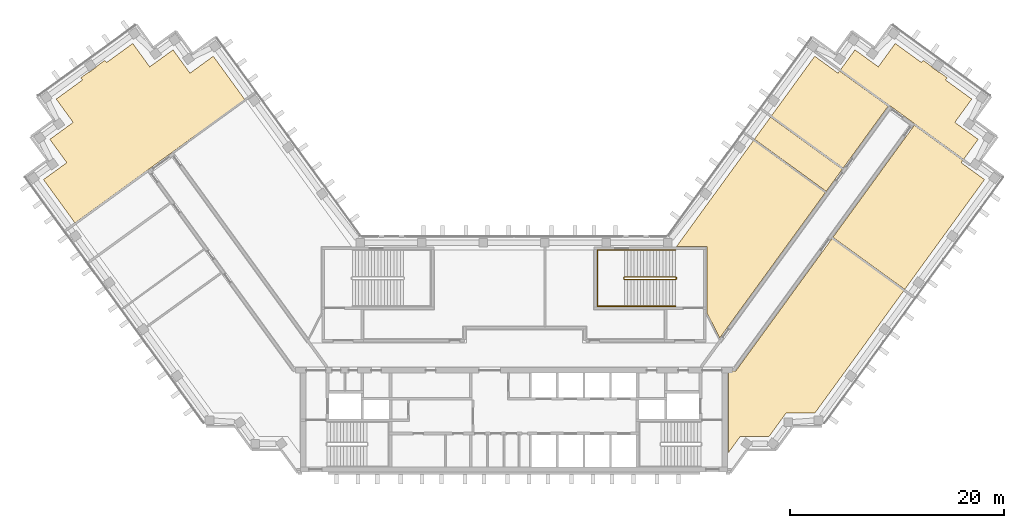
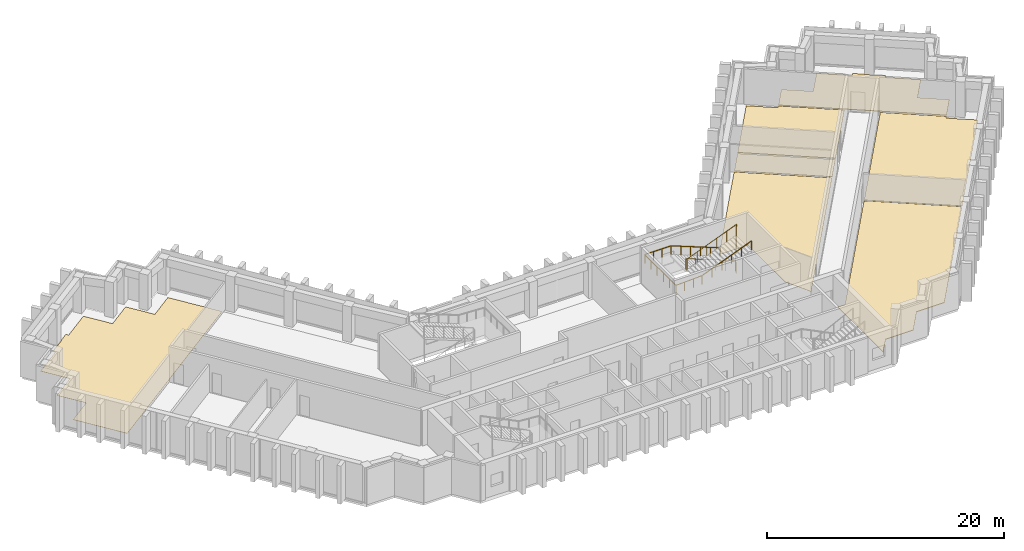
# One storey, part 10 of 10: 7 coverings, 2 railings.
"""IFC4 building model written with IfcOpenShell, lengths in metres."""

from ifc_helpers import new_model, si_unit, direction, frame, origin, origin_2d, place, context, subcontext, project, spatial, polyline, circle, outline, extrude, material, layer, layer_set, type_object, element, save


model = new_model("IFC4")

# Units and contexts
model_context = context("Model", 3, precision=1e-05, world=origin(), true_north=direction((0.0, 1.0)))
body_context = subcontext(model_context, "Body", "Model", "MODEL_VIEW")
ifc_project = project(units=[si_unit("LENGTHUNIT", "METRE"), si_unit("AREAUNIT", "SQUARE_METRE"), si_unit("VOLUMEUNIT", "CUBIC_METRE"), si_unit("PLANEANGLEUNIT", "RADIAN"), si_unit("MASSUNIT", "GRAM", prefix="KILO")], contexts=[model_context])

# Site, building, storey
site_placement = place(None, origin())
site = spatial("IfcSite", under=ifc_project, at=site_placement, CompositionType="ELEMENT")
building_placement = place(site_placement, origin())
building = spatial("IfcBuilding", under=site, at=building_placement, Name="Quipu Civic Tower", CompositionType="ELEMENT")
storey_placement = place(building_placement, frame((0.0, 0.0, 176.0)))
storey = spatial("IfcBuildingStorey", under=building, at=storey_placement, Name="L41", CompositionType="ELEMENT", Elevation=176.0)

# Coverings
ifc_material_1 = material(Name="Carpet tile on raised access floor")
ifc_layer_1 = layer(ifc_material_1, 0.02001953125)
ifc_layer_set_1 = layer_set([ifc_layer_1], Name="Carpet tile on raised access floor")
covering_type_1 = type_object("IfcCoveringType", Name="Carpet tile floor finish 20", PredefinedType="FLOORING", material=ifc_layer_set_1)
covering_1_placement = place(storey_placement, origin())
element("IfcCovering", 1, at=covering_1_placement, inside=storey, type_object=covering_type_1, Name="Carpet tile floor finish 20", PredefinedType="FLOORING", context=body_context, shape_type="SweptSolid", body=[
    extrude(outline(polyline([(-44.074951171875, 16.4140625), (-41.89208984375, 17.9990234375), (-43.47802734375, 20.18505859375), (-41.2939453125, 21.77294921875), (-42.881103515625, 23.95703125), (-40.424072265625, 25.740966796875), (-40.574951171875, 25.952880859375), (-39.81298828125, 26.507080078125), (-39.80908203125, 26.5029296875), (-39.804931640625, 26.5009765625), (-39.801025390625, 26.498046875), (-39.7958984375, 26.49609375), (-39.7919921875, 26.4951171875), (-39.787109375, 26.493896484375), (-39.781982421875, 26.492919921875), (-39.777099609375, 26.492919921875), (-39.77197265625, 26.493896484375), (-39.76806640625, 26.4951171875), (-39.762939453125, 26.49609375), (-39.758056640625, 26.498046875), (-39.75390625, 26.5), (-39.75, 26.5029296875), (-39.10302734375, 26.972900390625), (-39.09912109375, 26.97607421875), (-39.094970703125, 26.97998046875), (-39.092041015625, 26.98291015625), (-39.089111328125, 26.987060546875), (-39.0869140625, 26.991943359375), (-39.0849609375, 26.99609375), (-39.083984375, 27.0009765625), (-39.0830078125, 27.006103515625), (-39.08203125, 27.010986328125), (-39.08203125, 27.014892578125), (-39.08203125, 27.02001953125), (-39.0830078125, 27.02490234375), (-39.0849609375, 27.030029296875), (-39.0869140625, 27.033935546875), (-38.324951171875, 27.587890625), (-38.169921875, 27.37890625), (-35.712890625, 29.1640625), (-34.126953125, 26.97998046875), (-31.94091796875, 28.56591796875), (-30.35400390625, 26.383056640625), (-28.169921875, 27.968994140625), (-25.22607421875, 23.916015625), (-41.131103515625, 12.360107421875), (-44.074951171875, 16.4140625)])), origin(), (0.0, 0.0, 1.0), 0.02001953125),
])
covering_2_placement = place(storey_placement, origin())
element("IfcCovering", 2, at=covering_2_placement, inside=storey, type_object=covering_type_1, Name="Carpet tile floor finish 20", PredefinedType="FLOORING", context=body_context, shape_type="SweptSolid", body=[
    extrude(outline(polyline([(15.238037109375, 10.169921875), (22.44189453125, 20.0849609375), (29.1650390625, 15.200927734375), (19.27197265625, 1.583984375), (18.070068359375, 3.94189453125), (18.070068359375, 10.1689453125), (15.238037109375, 10.169921875)])), origin(), (0.0, 0.0, 1.0), 0.02001953125),
])
covering_3_placement = place(storey_placement, origin())
element("IfcCovering", 3, at=covering_3_placement, inside=storey, type_object=covering_type_1, Name="Carpet tile floor finish 20", PredefinedType="FLOORING", context=body_context, shape_type="SweptSolid", body=[
    extrude(outline(polyline([(29.87890625, 11.010986328125), (37.4990234375, 21.5), (42.0380859375, 18.201904296875), (41.89208984375, 17.9990234375), (44.074951171875, 16.4140625), (36.60302734375, 6.126953125), (29.87890625, 11.010986328125)])), origin(), (0.0, 0.0, 1.0), 0.02001953125),
])
ifc_material_2 = material(Name="Ceramic floor tile")
ifc_layer_2 = layer(ifc_material_2, 0.030029296875)
ifc_layer_set_2 = layer_set([ifc_layer_2], Name="Ceramic floor tile")
covering_type_2 = type_object("IfcCoveringType", Name="Ceramic tile floor finish 30", PredefinedType="FLOORING", material=ifc_layer_set_2)
covering_4_placement = place(storey_placement, origin())
element("IfcCovering", 4, at=covering_4_placement, inside=storey, type_object=covering_type_2, Name="Ceramic tile floor finish 30", PredefinedType="FLOORING", context=body_context, shape_type="SweptSolid", body=[
    extrude(outline(polyline([(22.52490234375, 20.197998046875), (24.029052734375, 22.26904296875), (30.751953125, 17.385986328125), (29.248046875, 15.31396484375), (22.52490234375, 20.197998046875)])), origin(), (0.0, 0.0, 1.0), 0.030029296875),
])
ifc_material_3 = material(Name="Sealed cement screed")
ifc_layer_3 = layer(ifc_material_3, 0.050048828125)
ifc_layer_set_3 = layer_set([ifc_layer_3], Name="Sealed cement screed")
covering_type_3 = type_object("IfcCoveringType", Name="Sealed screed floor finish 50", PredefinedType="FLOORING", material=ifc_layer_set_3)
covering_5_placement = place(storey_placement, origin())
element("IfcCovering", 5, at=covering_5_placement, inside=storey, type_object=covering_type_3, Name="Sealed screed floor finish 50", PredefinedType="FLOORING", context=body_context, shape_type="SweptSolid", body=[
    extrude(outline(polyline([(20.070068359375, -9.195068359375), (20.070068359375, -1.52001953125), (20.77490234375, -1.51904296875), (29.7958984375, 10.89794921875), (36.52001953125, 6.013916015625), (28.181884765625, -5.4609375), (25.48193359375, -5.4619140625), (23.89501953125, -7.64599609375), (21.196044921875, -7.64599609375), (20.070068359375, -9.195068359375)])), origin(), (0.0, 0.0, 1.0), 0.050048828125),
])
covering_6_placement = place(storey_placement, origin())
element("IfcCovering", 6, at=covering_6_placement, inside=storey, type_object=covering_type_3, Name="Sealed screed floor finish 50", PredefinedType="FLOORING", context=body_context, shape_type="SweptSolid", body=[
    extrude(outline(polyline([(30.583984375, 26.697021484375), (31.94189453125, 28.56591796875), (34.126953125, 26.97998046875), (35.712890625, 29.1640625), (38.169921875, 27.37890625), (38.324951171875, 27.587890625), (39.0869140625, 27.033935546875), (39.0849609375, 27.030029296875), (39.0830078125, 27.02490234375), (39.08203125, 27.02001953125), (39.08203125, 27.014892578125), (39.08203125, 27.010986328125), (39.0830078125, 27.006103515625), (39.083984375, 27.0009765625), (39.0849609375, 26.99609375), (39.0869140625, 26.991943359375), (39.089111328125, 26.987060546875), (39.092041015625, 26.98291015625), (39.094970703125, 26.97998046875), (39.09912109375, 26.97607421875), (39.10302734375, 26.972900390625), (39.75, 26.5029296875), (39.75390625, 26.5), (39.758056640625, 26.498046875), (39.762939453125, 26.49609375), (39.76806640625, 26.4951171875), (39.77197265625, 26.493896484375), (39.777099609375, 26.492919921875), (39.781982421875, 26.492919921875), (39.787109375, 26.493896484375), (39.7919921875, 26.4951171875), (39.7958984375, 26.49609375), (39.801025390625, 26.498046875), (39.804931640625, 26.5009765625), (39.80908203125, 26.5029296875), (39.81298828125, 26.507080078125), (40.574951171875, 25.952880859375), (40.424072265625, 25.740966796875), (42.881103515625, 23.95703125), (41.2939453125, 21.77294921875), (43.47802734375, 20.18505859375), (42.12109375, 18.31591796875), (30.583984375, 26.697021484375)])), origin(), (0.0, 0.0, 1.0), 0.050048828125),
])
covering_7_placement = place(storey_placement, origin())
element("IfcCovering", 7, at=covering_7_placement, inside=storey, type_object=covering_type_3, Name="Sealed screed floor finish 50", PredefinedType="FLOORING", context=body_context, shape_type="SweptSolid", body=[
    extrude(outline(polyline([(24.112060546875, 22.382080078125), (28.169921875, 27.968994140625), (30.35302734375, 26.383056640625), (30.5009765625, 26.583984375), (35.0400390625, 23.2880859375), (30.8349609375, 17.4990234375), (24.112060546875, 22.382080078125)])), origin(), (0.0, 0.0, 1.0), 0.050048828125),
])

# Railings
ifc_material_4 = material(Name="Stainless steel", Category="steel")
railing_type_1 = type_object("IfcRailingType", Name="Stair guard 1100", PredefinedType="GUARDRAIL", material=ifc_material_4)
railing_1_placement = place(storey_placement, frame((15.14990234375, 7.300048828125, 0.11767578125)))
element("IfcRailing", 8, at=railing_1_placement, inside=storey, type_object=railing_type_1, Name="Stair 4 guard", PredefinedType="GUARDRAIL", context=body_context, shape_type="SweptSolid", body=[
    extrude(circle(Radius=0.02392578125, at=origin_2d()), frame((0.0, 0.0, 1.076171875), z_axis=(-0.930970042603, 0.0, 0.365095576219), x_axis=(0.0, -1.0, 0.0)), (0.0, 0.0, 1.0), 5.15576171875),
    extrude(circle(Radius=0.02392578125, at=origin_2d()), frame((-4.7998046875, 0.0, 2.95849609375), z_axis=(-0.707106781187, -0.707106781187, 0.0), x_axis=(0.707106781187, -0.707106781187, 0.0)), (0.0, 0.0, 1.0), 0.07080078125),
    extrude(circle(Radius=0.02392578125, at=origin_2d()), frame((-4.849853515625, -0.050048828125, 2.95849609375), z_axis=(0.0, -1.0, 0.0), x_axis=(1.0, 0.0, 0.0)), (0.0, 0.0, 1.0), 0.14990234375),
    extrude(circle(Radius=0.02392578125, at=origin_2d()), frame((-4.849853515625, -0.199951171875, 2.95849609375), z_axis=(0.364463019033, -0.364463019033, 0.856932561824), x_axis=(0.707106781187, 0.707106781187, 0.0)), (0.0, 0.0, 1.0), 0.13720703125),
    extrude(circle(Radius=0.02392578125, at=origin_2d()), frame((-4.7998046875, -0.25, 3.076171875), z_axis=(0.930970042603, 0.0, 0.365095576219), x_axis=(0.0, 1.0, 0.0)), (0.0, 0.0, 1.0), 5.15576171875),
    extrude(circle(Radius=0.02392578125, at=origin_2d()), frame((0.0, -0.25, 4.95849609375), z_axis=(0.012495627992, 0.049921557685, -0.998674970829), x_axis=(-0.970072785993, 0.242814311512, 0.0)), (0.0, 0.0, 1.0), 4.00537109375),
    extrude(circle(Radius=0.02392578125, at=origin_2d()), frame((0.050048828125, -0.050048828125, 0.95849609375), z_axis=(0.0, -1.0, 0.0), x_axis=(1.0, 0.0, 0.0)), (0.0, 0.0, 1.0), 0.14990234375),
    extrude(circle(Radius=0.02099609375, at=origin_2d()), origin(), (0.0, 0.0, 1.0), 1.052001953125),
    extrude(circle(Radius=0.02099609375, at=origin_2d()), frame((-0.9599609375, 0.0, 0.37646484375)), (0.0, 0.0, 1.0), 1.052001953125),
    extrude(circle(Radius=0.02099609375, at=origin_2d()), frame((-1.919921875, 0.0, 0.7529296875)), (0.0, 0.0, 1.0), 1.052001953125),
    extrude(circle(Radius=0.02099609375, at=origin_2d()), frame((-2.8798828125, 0.0, 1.12939453125)), (0.0, 0.0, 1.0), 1.052001953125),
    extrude(circle(Radius=0.02099609375, at=origin_2d()), frame((-3.83984375, 0.0, 1.505859375)), (0.0, 0.0, 1.0), 1.052001953125),
    extrude(circle(Radius=0.02099609375, at=origin_2d()), frame((-4.7998046875, 0.0, 1.88232421875)), (0.0, 0.0, 1.0), 1.052001953125),
    extrude(circle(Radius=0.02099609375, at=origin_2d()), frame((-4.849853515625, -0.050048828125, 1.88232421875)), (0.0, 0.0, 1.0), 1.052001953125),
    extrude(circle(Radius=0.02099609375, at=origin_2d()), frame((-4.849853515625, -0.199951171875, 1.88232421875)), (0.0, 0.0, 1.0), 1.052001953125),
    extrude(circle(Radius=0.02099609375, at=origin_2d()), frame((-4.7998046875, -0.25, 2.0)), (0.0, 0.0, 1.0), 1.052001953125),
    extrude(circle(Radius=0.02099609375, at=origin_2d()), frame((-3.83984375, -0.25, 2.37646484375)), (0.0, 0.0, 1.0), 1.052001953125),
    extrude(circle(Radius=0.02099609375, at=origin_2d()), frame((-2.8798828125, -0.25, 2.7529296875)), (0.0, 0.0, 1.0), 1.052001953125),
    extrude(circle(Radius=0.02099609375, at=origin_2d()), frame((-1.919921875, -0.25, 3.12939453125)), (0.0, 0.0, 1.0), 1.052001953125),
    extrude(circle(Radius=0.02099609375, at=origin_2d()), frame((-0.9599609375, -0.25, 3.505859375)), (0.0, 0.0, 1.0), 1.052001953125),
    extrude(circle(Radius=0.02099609375, at=origin_2d()), frame((0.0, -0.25, 3.88232421875)), (0.0, 0.0, 1.0), 1.052001953125),
    extrude(circle(Radius=0.02099609375, at=origin_2d()), frame((0.012451171875, -0.199951171875, 2.88232421875)), (0.0, 0.0, 1.0), 1.052001953125),
    extrude(circle(Radius=0.02099609375, at=origin_2d()), frame((0.02490234375, -0.14990234375, 1.88232421875)), (0.0, 0.0, 1.0), 1.052001953125),
    extrude(circle(Radius=0.02099609375, at=origin_2d()), frame((0.03759765625, -0.10009765625, 0.88232421875)), (0.0, 0.0, 1.0), 1.052001953125),
    extrude(circle(Radius=0.02099609375, at=origin_2d()), frame((0.050048828125, -0.050048828125, -0.11767578125)), (0.0, 0.0, 1.0), 1.052001953125),
    extrude(circle(Radius=0.02099609375, at=origin_2d()), frame((0.050048828125, -0.199951171875, -0.11767578125)), (0.0, 0.0, 1.0), 1.052001953125),
])
ifc_material_5 = material(Name="Stainless steel", Category="steel")
railing_type_2 = type_object("IfcRailingType", Name="Stair handrail", PredefinedType="HANDRAIL", material=ifc_material_5)
railing_2_placement = place(storey_placement, frame((15.14990234375, 9.800048828125, 0.11767578125)))
element("IfcRailing", 9, at=railing_2_placement, inside=storey, type_object=railing_type_2, Name="Stair 4 handrail", PredefinedType="HANDRAIL", context=body_context, shape_type="SweptSolid", body=[
    extrude(circle(Radius=0.02392578125, at=origin_2d()), frame((0.0, 0.0, 0.8759765625), z_axis=(-0.930970042603, 0.0, 0.365095576219), x_axis=(0.0, -1.0, 0.0)), (0.0, 0.0, 1.0), 5.15576171875),
    extrude(circle(Radius=0.02392578125, at=origin_2d()), frame((-4.7998046875, 0.0, 2.75830078125), z_axis=(-1.0, 0.0, 0.0), x_axis=(0.0, -1.0, 0.0)), (0.0, 0.0, 1.0), 2.550048828125),
    extrude(circle(Radius=0.02392578125, at=origin_2d()), frame((-7.349853515625, 0.0, 2.75830078125), z_axis=(0.0, -1.0, 0.0), x_axis=(1.0, 0.0, 0.0)), (0.0, 0.0, 1.0), 5.25),
    extrude(circle(Radius=0.02392578125, at=origin_2d()), frame((-7.349853515625, -5.25, 2.75830078125), z_axis=(0.998936948642, 0.0, 0.04609742549), x_axis=(0.0, 1.0, 0.0)), (0.0, 0.0, 1.0), 2.552734375),
    extrude(circle(Radius=0.02392578125, at=origin_2d()), frame((-4.7998046875, -5.25, 2.8759765625), z_axis=(0.930970042603, 0.0, 0.365095576219), x_axis=(0.0, 1.0, 0.0)), (0.0, 0.0, 1.0), 5.15576171875),
    extrude(circle(Radius=0.02099609375, at=origin_2d()), origin(), (0.0, 0.0, 1.0), 0.851806640625),
    extrude(circle(Radius=0.02099609375, at=origin_2d()), frame((-0.9599609375, 0.0, 0.37646484375)), (0.0, 0.0, 1.0), 0.851806640625),
    extrude(circle(Radius=0.02099609375, at=origin_2d()), frame((-1.919921875, 0.0, 0.7529296875)), (0.0, 0.0, 1.0), 0.851806640625),
    extrude(circle(Radius=0.02099609375, at=origin_2d()), frame((-2.8798828125, 0.0, 1.12939453125)), (0.0, 0.0, 1.0), 0.851806640625),
    extrude(circle(Radius=0.02099609375, at=origin_2d()), frame((-3.83984375, 0.0, 1.505859375)), (0.0, 0.0, 1.0), 0.851806640625),
    extrude(circle(Radius=0.02099609375, at=origin_2d()), frame((-4.7998046875, 0.0, 1.88232421875)), (0.0, 0.0, 1.0), 0.851806640625),
    extrude(circle(Radius=0.02099609375, at=origin_2d()), frame((-5.64990234375, 0.0, 1.88232421875)), (0.0, 0.0, 1.0), 0.851806640625),
    extrude(circle(Radius=0.02099609375, at=origin_2d()), frame((-6.499755859375, 0.0, 1.88232421875)), (0.0, 0.0, 1.0), 0.851806640625),
    extrude(circle(Radius=0.02099609375, at=origin_2d()), frame((-7.349853515625, 0.0, 1.88232421875)), (0.0, 0.0, 1.0), 0.851806640625),
    extrude(circle(Radius=0.02099609375, at=origin_2d()), frame((-7.349853515625, -1.050048828125, 1.88232421875)), (0.0, 0.0, 1.0), 0.851806640625),
    extrude(circle(Radius=0.02099609375, at=origin_2d()), frame((-7.349853515625, -2.10009765625, 1.88232421875)), (0.0, 0.0, 1.0), 0.851806640625),
    extrude(circle(Radius=0.02099609375, at=origin_2d()), frame((-7.349853515625, -3.14990234375, 1.88232421875)), (0.0, 0.0, 1.0), 0.851806640625),
    extrude(circle(Radius=0.02099609375, at=origin_2d()), frame((-7.349853515625, -4.199951171875, 1.88232421875)), (0.0, 0.0, 1.0), 0.851806640625),
    extrude(circle(Radius=0.02099609375, at=origin_2d()), frame((-7.349853515625, -5.25, 1.88232421875)), (0.0, 0.0, 1.0), 0.851806640625),
    extrude(circle(Radius=0.02099609375, at=origin_2d()), frame((-6.499755859375, -5.25, 1.921630859375)), (0.0, 0.0, 1.0), 0.851806640625),
    extrude(circle(Radius=0.02099609375, at=origin_2d()), frame((-5.64990234375, -5.25, 1.960693359375)), (0.0, 0.0, 1.0), 0.851806640625),
    extrude(circle(Radius=0.02099609375, at=origin_2d()), frame((-4.7998046875, -5.25, 2.0)), (0.0, 0.0, 1.0), 0.851806640625),
    extrude(circle(Radius=0.02099609375, at=origin_2d()), frame((-3.83984375, -5.25, 2.37646484375)), (0.0, 0.0, 1.0), 0.851806640625),
    extrude(circle(Radius=0.02099609375, at=origin_2d()), frame((-2.8798828125, -5.25, 2.7529296875)), (0.0, 0.0, 1.0), 0.851806640625),
    extrude(circle(Radius=0.02099609375, at=origin_2d()), frame((-1.919921875, -5.25, 3.12939453125)), (0.0, 0.0, 1.0), 0.851806640625),
    extrude(circle(Radius=0.02099609375, at=origin_2d()), frame((-0.9599609375, -5.25, 3.505859375)), (0.0, 0.0, 1.0), 0.851806640625),
    extrude(circle(Radius=0.02099609375, at=origin_2d()), frame((0.0, -5.25, 3.88232421875)), (0.0, 0.0, 1.0), 0.851806640625),
])

save(model, "model.ifc")
